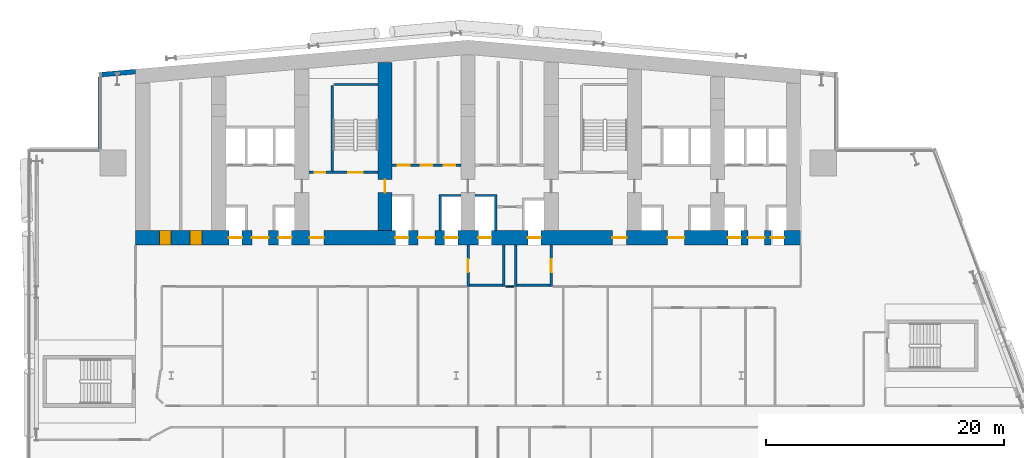
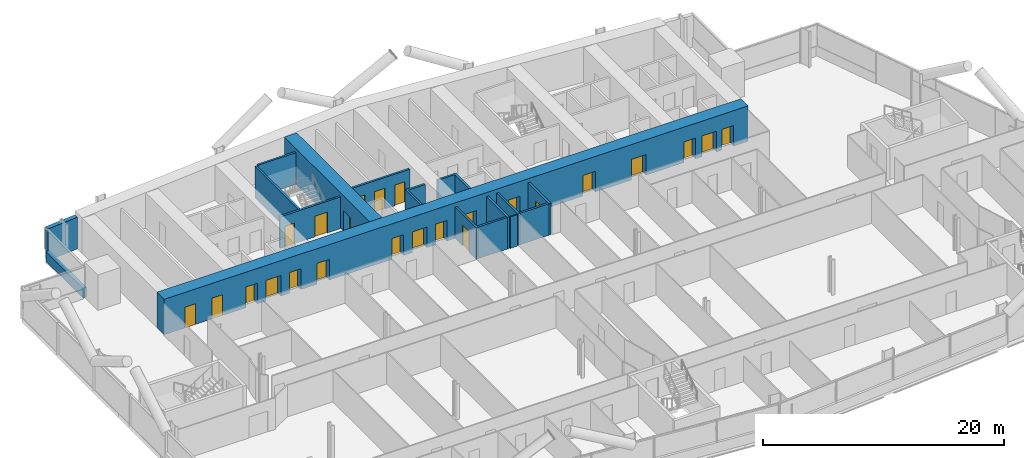
# One storey, part 17 of 28: 24 doors, 17 walls, 24 openings.
"""IFC4 building model written with IfcOpenShell, lengths in metres."""

from ifc_helpers import new_model, si_unit, direction, frame, frame_2d, origin, place, context, subcontext, project, spatial, polyline, rectangle, outline, extrude, material, layer, layer_set, type_object, element, fill, save


model = new_model("IFC4")

# Units and contexts
model_context = context("Model", 3, precision=1e-05, world=origin(), true_north=direction((0.0, 1.0)))
body_context = subcontext(model_context, "Body", "Model", "MODEL_VIEW")
ifc_project = project(units=[si_unit("LENGTHUNIT", "METRE"), si_unit("AREAUNIT", "SQUARE_METRE"), si_unit("VOLUMEUNIT", "CUBIC_METRE"), si_unit("PLANEANGLEUNIT", "RADIAN"), si_unit("MASSUNIT", "GRAM", prefix="KILO")], contexts=[model_context])

# Site, building, storey
site_placement = place(None, origin())
site = spatial("IfcSite", under=ifc_project, at=site_placement, CompositionType="ELEMENT")
building_placement = place(site_placement, origin())
building = spatial("IfcBuilding", under=site, at=building_placement, Name="Wharfspan Tower", CompositionType="ELEMENT")
storey_placement = place(building_placement, frame((0.0, 0.0, 52.300049)))
storey = spatial("IfcBuildingStorey", under=building, at=storey_placement, Name="L09", CompositionType="ELEMENT", Elevation=52.300049)

# Wall
ifc_material_1 = material(Name="Gypsum board on steel studs", Category="steel")
ifc_layer_1 = layer(ifc_material_1, 0.100098)
ifc_layer_set_1 = layer_set([ifc_layer_1], Name="Gypsum board on steel studs")
wall_type_1 = type_object("IfcWallType", Name="Compartment wall 100 EI 60", PredefinedType="PARTITIONING", material=ifc_layer_set_1)
wall_1_placement = place(storey_placement, frame((40.149902, 30.5, 0.0), z_axis=(0.0, 0.0, 1.0), x_axis=(1.0, 0.0, 0.0)))
element("IfcWall", 1, at=wall_1_placement, inside=storey, type_object=wall_type_1, Name="Partition L09.w015 (2)", PredefinedType="PARTITIONING", context=body_context, shape_type="SweptSolid", body=[
    extrude(rectangle(XDim=0.700195, YDim=0.100098, at=frame_2d((0.350098, 0.0))), origin(), (0.0, 0.0, 1.0), 3.199951),
])

# Wall, openings, doors
ifc_material_2 = material(Name="Concrete C70/85", Category="concrete")
ifc_layer_2 = layer(ifc_material_2, 1.199951)
ifc_layer_set_2 = layer_set([ifc_layer_2], Name="Concrete C70/85")
wall_type_2 = type_object("IfcWallType", Name="Core wall 1200 C70/85", PredefinedType="SHEAR", material=ifc_layer_set_2)
wall_2_placement = place(storey_placement, frame((9.0, 34.600098, 0.0), z_axis=(0.0, 0.0, 1.0), x_axis=(1.0, 0.0, 0.0)))
wall_2 = element("IfcWall", 2, at=wall_2_placement, inside=storey, type_object=wall_type_2, Name="Core front wall L09", PredefinedType="SHEAR", context=body_context, shape_type="SweptSolid", body=[
    extrude(rectangle(XDim=56.0, YDim=1.199951, at=frame_2d((28.0, 0.0))), origin(), (0.0, 0.0, 1.0), 3.599854),
])
opening_1_placement = place(wall_2_placement, frame((2.0, 0.0, 0.0)))
opening_1 = element("IfcOpeningElement", 3, at=opening_1_placement, cuts=wall_2, Name="Opening CD09.01", PredefinedType="OPENING", context=body_context, shape_type="SweptSolid", body=[
    extrude(rectangle(XDim=1.0, YDim=2.100098, at=frame_2d((0.5, 1.050049))), frame((0.0, 0.609863, 0.0), z_axis=(0.0, -1.0, 0.0), x_axis=(1.0, 0.0, 0.0)), (0.0, 0.0, 1.0), 1.219971),
])
opening_2_placement = place(wall_2_placement, frame((4.600098, 0.0, 0.0)))
opening_2 = element("IfcOpeningElement", 4, at=opening_2_placement, cuts=wall_2, Name="Opening CD09.02", PredefinedType="OPENING", context=body_context, shape_type="SweptSolid", body=[
    extrude(rectangle(XDim=1.0, YDim=2.100098, at=frame_2d((0.5, 1.050049))), frame((0.0, 0.609863, 0.0), z_axis=(0.0, -1.0, 0.0), x_axis=(1.0, 0.0, 0.0)), (0.0, 0.0, 1.0), 1.219971),
])
opening_3_placement = place(wall_2_placement, frame((7.866699, 0.0, 0.0)))
opening_3 = element("IfcOpeningElement", 5, at=opening_3_placement, cuts=wall_2, Name="Opening LD.LA1.L09", PredefinedType="OPENING", context=body_context, shape_type="SweptSolid", body=[
    extrude(rectangle(XDim=1.100098, YDim=2.100098, at=frame_2d((0.550049, 1.050049))), frame((0.0, 0.609863, 0.0), z_axis=(0.0, -1.0, 0.0), x_axis=(1.0, 0.0, 0.0)), (0.0, 0.0, 1.0), 1.219971),
])
opening_4_placement = place(wall_2_placement, frame((12.033203, 0.0, 0.0)))
opening_4 = element("IfcOpeningElement", 6, at=opening_4_placement, cuts=wall_2, Name="Opening LD.LA2.L09", PredefinedType="OPENING", context=body_context, shape_type="SweptSolid", body=[
    extrude(rectangle(XDim=1.100098, YDim=2.100098, at=frame_2d((0.550049, 1.050049))), frame((0.0, 0.609863, 0.0), z_axis=(0.0, -1.0, 0.0), x_axis=(1.0, 0.0, 0.0)), (0.0, 0.0, 1.0), 1.219971),
])
opening_5_placement = place(wall_2_placement, frame((9.800049, 0.0, 0.0)))
opening_5 = element("IfcOpeningElement", 7, at=opening_5_placement, cuts=wall_2, Name="Opening HD09.1", PredefinedType="OPENING", context=body_context, shape_type="SweptSolid", body=[
    extrude(rectangle(XDim=1.399902, YDim=2.100098, at=frame_2d((0.699951, 1.050049))), frame((0.0, 0.609863, 0.0), z_axis=(0.0, -1.0, 0.0), x_axis=(1.0, 0.0, 0.0)), (0.0, 0.0, 1.0), 1.219971),
])
opening_6_placement = place(wall_2_placement, frame((14.649902, 0.0, 0.0)))
opening_6 = element("IfcOpeningElement", 8, at=opening_6_placement, cuts=wall_2, Name="Opening SV2.L09", PredefinedType="OPENING", context=body_context, shape_type="SweptSolid", body=[
    extrude(rectangle(XDim=1.199951, YDim=2.100098, at=frame_2d((0.600098, 1.050049))), frame((0.0, 0.609863, 0.0), z_axis=(0.0, -1.0, 0.0), x_axis=(1.0, 0.0, 0.0)), (0.0, 0.0, 1.0), 1.219971),
])
opening_7_placement = place(wall_2_placement, frame((21.866699, 0.0, 0.0)))
opening_7 = element("IfcOpeningElement", 9, at=opening_7_placement, cuts=wall_2, Name="Opening LD.SL1.L09", PredefinedType="OPENING", context=body_context, shape_type="SweptSolid", body=[
    extrude(rectangle(XDim=1.100098, YDim=2.100098, at=frame_2d((0.550049, 1.050049))), frame((0.0, 0.609863, 0.0), z_axis=(0.0, -1.0, 0.0), x_axis=(1.0, 0.0, 0.0)), (0.0, 0.0, 1.0), 1.219971),
])
opening_8_placement = place(wall_2_placement, frame((26.033203, 0.0, 0.0)))
opening_8 = element("IfcOpeningElement", 10, at=opening_8_placement, cuts=wall_2, Name="Opening LD.SL2.L09", PredefinedType="OPENING", context=body_context, shape_type="SweptSolid", body=[
    extrude(rectangle(XDim=1.100098, YDim=2.100098, at=frame_2d((0.550049, 1.050049))), frame((0.0, 0.609863, 0.0), z_axis=(0.0, -1.0, 0.0), x_axis=(1.0, 0.0, 0.0)), (0.0, 0.0, 1.0), 1.219971),
])
opening_9_placement = place(wall_2_placement, frame((23.800049, 0.0, 0.0)))
opening_9 = element("IfcOpeningElement", 11, at=opening_9_placement, cuts=wall_2, Name="Opening HD09.3", PredefinedType="OPENING", context=body_context, shape_type="SweptSolid", body=[
    extrude(rectangle(XDim=1.399902, YDim=2.100098, at=frame_2d((0.699951, 1.050049))), frame((0.0, 0.609863, 0.0), z_axis=(0.0, -1.0, 0.0), x_axis=(1.0, 0.0, 0.0)), (0.0, 0.0, 1.0), 1.219971),
])
opening_10_placement = place(wall_2_placement, frame((28.866699, 0.0, 0.0)))
opening_10 = element("IfcOpeningElement", 12, at=opening_10_placement, cuts=wall_2, Name="Opening LD.FF1.L09", PredefinedType="OPENING", context=body_context, shape_type="SweptSolid", body=[
    extrude(rectangle(XDim=1.100098, YDim=2.100098, at=frame_2d((0.550049, 1.050049))), frame((0.0, 0.609863, 0.0), z_axis=(0.0, -1.0, 0.0), x_axis=(1.0, 0.0, 0.0)), (0.0, 0.0, 1.0), 1.219971),
])
opening_11_placement = place(wall_2_placement, frame((33.033203, 0.0, 0.0)))
opening_11 = element("IfcOpeningElement", 13, at=opening_11_placement, cuts=wall_2, Name="Opening LD.FF2.L09", PredefinedType="OPENING", context=body_context, shape_type="SweptSolid", body=[
    extrude(rectangle(XDim=1.100098, YDim=2.100098, at=frame_2d((0.550049, 1.050049))), frame((0.0, 0.609863, 0.0), z_axis=(0.0, -1.0, 0.0), x_axis=(1.0, 0.0, 0.0)), (0.0, 0.0, 1.0), 1.219971),
])
opening_12_placement = place(wall_2_placement, frame((40.149902, 0.0, 0.0)))
opening_12 = element("IfcOpeningElement", 14, at=opening_12_placement, cuts=wall_2, Name="Opening SV5.L09", PredefinedType="OPENING", context=body_context, shape_type="SweptSolid", body=[
    extrude(rectangle(XDim=1.199951, YDim=2.100098, at=frame_2d((0.600098, 1.050049))), frame((0.0, 0.609863, 0.0), z_axis=(0.0, -1.0, 0.0), x_axis=(1.0, 0.0, 0.0)), (0.0, 0.0, 1.0), 1.219971),
])
opening_13_placement = place(wall_2_placement, frame((44.800049, 0.0, 0.0)))
opening_13 = element("IfcOpeningElement", 15, at=opening_13_placement, cuts=wall_2, Name="Opening HD09.6", PredefinedType="OPENING", context=body_context, shape_type="SweptSolid", body=[
    extrude(rectangle(XDim=1.399902, YDim=2.100098, at=frame_2d((0.699951, 1.050049))), frame((0.0, 0.609863, 0.0), z_axis=(0.0, -1.0, 0.0), x_axis=(1.0, 0.0, 0.0)), (0.0, 0.0, 1.0), 1.219971),
])
opening_14_placement = place(wall_2_placement, frame((49.866699, 0.0, 0.0)))
opening_14 = element("IfcOpeningElement", 16, at=opening_14_placement, cuts=wall_2, Name="Opening LD.LA6.L09", PredefinedType="OPENING", context=body_context, shape_type="SweptSolid", body=[
    extrude(rectangle(XDim=1.100098, YDim=2.100098, at=frame_2d((0.550049, 1.050049))), frame((0.0, 0.609863, 0.0), z_axis=(0.0, -1.0, 0.0), x_axis=(1.0, 0.0, 0.0)), (0.0, 0.0, 1.0), 1.219971),
])
opening_15_placement = place(wall_2_placement, frame((53.5, 0.0, 0.0)))
opening_15 = element("IfcOpeningElement", 17, at=opening_15_placement, cuts=wall_2, Name="Opening LD.LA7.L09", PredefinedType="OPENING", context=body_context, shape_type="SweptSolid", body=[
    extrude(rectangle(XDim=1.100098, YDim=2.100098, at=frame_2d((0.550049, 1.050049))), frame((0.0, 0.609863, 0.0), z_axis=(0.0, -1.0, 0.0), x_axis=(1.0, 0.0, 0.0)), (0.0, 0.0, 1.0), 1.219971),
])
opening_16_placement = place(wall_2_placement, frame((51.56665, 0.0, 0.0)))
opening_16 = element("IfcOpeningElement", 18, at=opening_16_placement, cuts=wall_2, Name="Opening HD09.7", PredefinedType="OPENING", context=body_context, shape_type="SweptSolid", body=[
    extrude(rectangle(XDim=1.399902, YDim=2.100098, at=frame_2d((0.699951, 1.050049))), frame((0.0, 0.609863, 0.0), z_axis=(0.0, -1.0, 0.0), x_axis=(1.0, 0.0, 0.0)), (0.0, 0.0, 1.0), 1.219971),
])
ifc_material_3 = material(Name="Steel door leaf", Category="steel")
door_type_1 = type_object("IfcDoorType", Name="Core room door 1000x2100", OperationType="SINGLE_SWING_LEFT", PredefinedType="DOOR", material=ifc_material_3)
door_1_placement = place(opening_1_placement, origin())
door_1 = element("IfcDoor", 19, at=door_1_placement, inside=storey, type_object=door_type_1, Name="d:L09:0:rf", OperationType="SINGLE_SWING_LEFT", OverallHeight=2.100098, OverallWidth=1.0, PredefinedType="DOOR", context=body_context, shape_type="SweptSolid", body=[
    extrude(rectangle(XDim=1.0, YDim=2.100098, at=frame_2d((0.5, 1.050049))), frame((0.0, 0.599609, 0.0), z_axis=(0.0, -1.0, 0.0), x_axis=(1.0, 0.0, 0.0)), (0.0, 0.0, 1.0), 1.199463),
])
fill(opening_1, door_1)
door_2_placement = place(opening_2_placement, origin())
door_2 = element("IfcDoor", 20, at=door_2_placement, inside=storey, type_object=door_type_1, Name="d:L09:0:rr", OperationType="SINGLE_SWING_RIGHT", OverallHeight=2.100098, OverallWidth=1.0, PredefinedType="DOOR", context=body_context, shape_type="SweptSolid", body=[
    extrude(rectangle(XDim=1.0, YDim=2.100098, at=frame_2d((0.5, 1.050049))), frame((0.0, 0.599609, 0.0), z_axis=(0.0, -1.0, 0.0), x_axis=(1.0, 0.0, 0.0)), (0.0, 0.0, 1.0), 1.199463),
])
fill(opening_2, door_2)
door_type_2 = type_object("IfcDoorType", Name="Hall entry door 1400x2100", OperationType="DOUBLE_DOOR_SINGLE_SWING", PredefinedType="DOOR", material=ifc_material_3)
door_3_placement = place(opening_5_placement, origin())
door_3 = element("IfcDoor", 21, at=door_3_placement, inside=storey, type_object=door_type_2, Name="d:L09:1:hd1", OperationType="DOUBLE_DOOR_SINGLE_SWING", OverallHeight=2.100098, OverallWidth=1.399902, PredefinedType="DOOR", context=body_context, shape_type="SweptSolid", body=[
    extrude(rectangle(XDim=1.399902, YDim=2.100098, at=frame_2d((0.699951, 1.050049))), frame((0.0, 0.024902, 0.0), z_axis=(0.0, -1.0, 0.0), x_axis=(1.0, 0.0, 0.0)), (0.0, 0.0, 1.0), 0.050049),
])
fill(opening_5, door_3)
door_4_placement = place(opening_9_placement, origin())
door_4 = element("IfcDoor", 22, at=door_4_placement, inside=storey, type_object=door_type_2, Name="d:L09:3:hd3", OperationType="DOUBLE_DOOR_SINGLE_SWING", OverallHeight=2.100098, OverallWidth=1.399902, PredefinedType="DOOR", context=body_context, shape_type="SweptSolid", body=[
    extrude(rectangle(XDim=1.399902, YDim=2.100098, at=frame_2d((0.699951, 1.050049))), frame((0.0, 0.024902, 0.0), z_axis=(0.0, -1.0, 0.0), x_axis=(1.0, 0.0, 0.0)), (0.0, 0.0, 1.0), 0.050049),
])
fill(opening_9, door_4)
door_5_placement = place(opening_13_placement, origin())
door_5 = element("IfcDoor", 23, at=door_5_placement, inside=storey, type_object=door_type_2, Name="d:L09:6:hd6", OperationType="DOUBLE_DOOR_SINGLE_SWING", OverallHeight=2.100098, OverallWidth=1.399902, PredefinedType="DOOR", context=body_context, shape_type="SweptSolid", body=[
    extrude(rectangle(XDim=1.399902, YDim=2.100098, at=frame_2d((0.699951, 1.050049))), frame((0.0, 0.024902, 0.0), z_axis=(0.0, -1.0, 0.0), x_axis=(1.0, 0.0, 0.0)), (0.0, 0.0, 1.0), 0.050049),
])
fill(opening_13, door_5)
door_6_placement = place(opening_16_placement, origin())
door_6 = element("IfcDoor", 24, at=door_6_placement, inside=storey, type_object=door_type_2, Name="d:L09:7:hd7", OperationType="DOUBLE_DOOR_SINGLE_SWING", OverallHeight=2.100098, OverallWidth=1.399902, PredefinedType="DOOR", context=body_context, shape_type="SweptSolid", body=[
    extrude(rectangle(XDim=1.399902, YDim=2.100098, at=frame_2d((0.699951, 1.050049))), frame((0.0, 0.024902, 0.0), z_axis=(0.0, -1.0, 0.0), x_axis=(1.0, 0.0, 0.0)), (0.0, 0.0, 1.0), 0.050049),
])
fill(opening_16, door_6)
ifc_material_4 = material(Name="Stainless steel", Category="steel")
door_type_3 = type_object("IfcDoorType", Name="Lift landing door 1100x2100", OperationType="DOUBLE_DOOR_SLIDING", PredefinedType="DOOR", material=ifc_material_4)
door_7_placement = place(opening_3_placement, origin())
door_7 = element("IfcDoor", 25, at=door_7_placement, inside=storey, type_object=door_type_3, Name="Landing door LA1 L09", OperationType="DOUBLE_DOOR_SLIDING", OverallHeight=2.100098, OverallWidth=1.100098, PredefinedType="DOOR", context=body_context, shape_type="SweptSolid", body=[
    extrude(rectangle(XDim=1.100098, YDim=2.100098, at=frame_2d((0.550049, 1.050049))), frame((0.0, 0.024902, 0.0), z_axis=(0.0, -1.0, 0.0), x_axis=(1.0, 0.0, 0.0)), (0.0, 0.0, 1.0), 0.050049),
])
fill(opening_3, door_7)
door_8_placement = place(opening_4_placement, origin())
door_8 = element("IfcDoor", 26, at=door_8_placement, inside=storey, type_object=door_type_3, Name="Landing door LA2 L09", OperationType="DOUBLE_DOOR_SLIDING", OverallHeight=2.100098, OverallWidth=1.100098, PredefinedType="DOOR", context=body_context, shape_type="SweptSolid", body=[
    extrude(rectangle(XDim=1.100098, YDim=2.100098, at=frame_2d((0.550049, 1.050049))), frame((0.0, 0.024902, 0.0), z_axis=(0.0, -1.0, 0.0), x_axis=(1.0, 0.0, 0.0)), (0.0, 0.0, 1.0), 0.050049),
])
fill(opening_4, door_8)
door_9_placement = place(opening_7_placement, origin())
door_9 = element("IfcDoor", 27, at=door_9_placement, inside=storey, type_object=door_type_3, Name="Landing door SL1 L09", OperationType="DOUBLE_DOOR_SLIDING", OverallHeight=2.100098, OverallWidth=1.100098, PredefinedType="DOOR", context=body_context, shape_type="SweptSolid", body=[
    extrude(rectangle(XDim=1.100098, YDim=2.100098, at=frame_2d((0.550049, 1.050049))), frame((0.0, 0.024902, 0.0), z_axis=(0.0, -1.0, 0.0), x_axis=(1.0, 0.0, 0.0)), (0.0, 0.0, 1.0), 0.050049),
])
fill(opening_7, door_9)
door_10_placement = place(opening_8_placement, origin())
door_10 = element("IfcDoor", 28, at=door_10_placement, inside=storey, type_object=door_type_3, Name="Landing door SL2 L09", OperationType="DOUBLE_DOOR_SLIDING", OverallHeight=2.100098, OverallWidth=1.100098, PredefinedType="DOOR", context=body_context, shape_type="SweptSolid", body=[
    extrude(rectangle(XDim=1.100098, YDim=2.100098, at=frame_2d((0.550049, 1.050049))), frame((0.0, 0.024902, 0.0), z_axis=(0.0, -1.0, 0.0), x_axis=(1.0, 0.0, 0.0)), (0.0, 0.0, 1.0), 0.050049),
])
fill(opening_8, door_10)
door_11_placement = place(opening_10_placement, origin())
door_11 = element("IfcDoor", 29, at=door_11_placement, inside=storey, type_object=door_type_3, Name="Landing door FF1 L09", OperationType="DOUBLE_DOOR_SLIDING", OverallHeight=2.100098, OverallWidth=1.100098, PredefinedType="DOOR", context=body_context, shape_type="SweptSolid", body=[
    extrude(rectangle(XDim=1.100098, YDim=2.100098, at=frame_2d((0.550049, 1.050049))), frame((0.0, 0.024902, 0.0), z_axis=(0.0, -1.0, 0.0), x_axis=(1.0, 0.0, 0.0)), (0.0, 0.0, 1.0), 0.050049),
])
fill(opening_10, door_11)
door_12_placement = place(opening_11_placement, origin())
door_12 = element("IfcDoor", 30, at=door_12_placement, inside=storey, type_object=door_type_3, Name="Landing door FF2 L09", OperationType="DOUBLE_DOOR_SLIDING", OverallHeight=2.100098, OverallWidth=1.100098, PredefinedType="DOOR", context=body_context, shape_type="SweptSolid", body=[
    extrude(rectangle(XDim=1.100098, YDim=2.100098, at=frame_2d((0.550049, 1.050049))), frame((0.0, 0.024902, 0.0), z_axis=(0.0, -1.0, 0.0), x_axis=(1.0, 0.0, 0.0)), (0.0, 0.0, 1.0), 0.050049),
])
fill(opening_11, door_12)
door_13_placement = place(opening_14_placement, origin())
door_13 = element("IfcDoor", 31, at=door_13_placement, inside=storey, type_object=door_type_3, Name="Landing door LA6 L09", OperationType="DOUBLE_DOOR_SLIDING", OverallHeight=2.100098, OverallWidth=1.100098, PredefinedType="DOOR", context=body_context, shape_type="SweptSolid", body=[
    extrude(rectangle(XDim=1.100098, YDim=2.100098, at=frame_2d((0.550049, 1.050049))), frame((0.0, 0.024902, 0.0), z_axis=(0.0, -1.0, 0.0), x_axis=(1.0, 0.0, 0.0)), (0.0, 0.0, 1.0), 0.050049),
])
fill(opening_14, door_13)
door_14_placement = place(opening_15_placement, origin())
door_14 = element("IfcDoor", 32, at=door_14_placement, inside=storey, type_object=door_type_3, Name="Landing door LA7 L09", OperationType="DOUBLE_DOOR_SLIDING", OverallHeight=2.100098, OverallWidth=1.100098, PredefinedType="DOOR", context=body_context, shape_type="SweptSolid", body=[
    extrude(rectangle(XDim=1.100098, YDim=2.100098, at=frame_2d((0.550049, 1.050049))), frame((0.0, 0.024902, 0.0), z_axis=(0.0, -1.0, 0.0), x_axis=(1.0, 0.0, 0.0)), (0.0, 0.0, 1.0), 0.050049),
])
fill(opening_15, door_14)
door_type_4 = type_object("IfcDoorType", Name="Stair door 1200x2100", OperationType="SINGLE_SWING_LEFT", PredefinedType="DOOR", material=ifc_material_3)
door_15_placement = place(opening_6_placement, origin())
door_15 = element("IfcDoor", 33, at=door_15_placement, inside=storey, type_object=door_type_4, Name="vd:L09:2", OperationType="SINGLE_SWING_LEFT", OverallHeight=2.100098, OverallWidth=1.199951, PredefinedType="DOOR", context=body_context, shape_type="SweptSolid", body=[
    extrude(rectangle(XDim=1.199951, YDim=2.100098, at=frame_2d((0.600098, 1.050049))), frame((0.0, 0.024902, 0.0), z_axis=(0.0, -1.0, 0.0), x_axis=(1.0, 0.0, 0.0)), (0.0, 0.0, 1.0), 0.050049),
])
fill(opening_6, door_15)
door_16_placement = place(opening_12_placement, origin())
door_16 = element("IfcDoor", 34, at=door_16_placement, inside=storey, type_object=door_type_4, Name="vd:L09:5", OperationType="SINGLE_SWING_LEFT", OverallHeight=2.100098, OverallWidth=1.199951, PredefinedType="DOOR", context=body_context, shape_type="SweptSolid", body=[
    extrude(rectangle(XDim=1.199951, YDim=2.100098, at=frame_2d((0.600098, 1.050049))), frame((0.0, 0.024902, 0.0), z_axis=(0.0, -1.0, 0.0), x_axis=(1.0, 0.0, 0.0)), (0.0, 0.0, 1.0), 0.050049),
])
fill(opening_12, door_16)

# Wall, opening, door
wall_3_placement = place(storey_placement, frame((30.0, 35.199951, 0.0), z_axis=(0.0, 0.0, 1.0), x_axis=(0.0, 1.0, 0.0)))
wall_3 = element("IfcWall", 35, at=wall_3_placement, inside=storey, type_object=wall_type_2, Name="Core cross wall X3 L09", PredefinedType="SHEAR", context=body_context, shape_type="SweptSolid", body=[
    extrude(rectangle(XDim=14.167725, YDim=1.199951, at=frame_2d((7.083984, 0.0))), origin(), (0.0, 0.0, 1.0), 3.599854),
])
opening_17_placement = place(wall_3_placement, frame((3.199951, 0.0, 0.0)))
opening_17 = element("IfcOpeningElement", 36, at=opening_17_placement, cuts=wall_3, Name="Opening CC09.3", PredefinedType="OPENING", context=body_context, shape_type="SweptSolid", body=[
    extrude(rectangle(XDim=1.100098, YDim=2.100098, at=frame_2d((0.550049, 1.050049))), frame((0.0, 0.609863, 0.0), z_axis=(0.0, -1.0, 0.0), x_axis=(1.0, 0.0, 0.0)), (0.0, 0.0, 1.0), 1.219971),
])
door_type_5 = type_object("IfcDoorType", Name="Core corridor door 1100x2100", OperationType="SINGLE_SWING_LEFT", PredefinedType="DOOR", material=ifc_material_3)
door_17_placement = place(opening_17_placement, origin())
door_17 = element("IfcDoor", 37, at=door_17_placement, inside=storey, type_object=door_type_5, Name="xd:L09:3", OperationType="SINGLE_SWING_LEFT", OverallHeight=2.100098, OverallWidth=1.100098, PredefinedType="DOOR", context=body_context, shape_type="SweptSolid", body=[
    extrude(rectangle(XDim=1.100098, YDim=2.100098, at=frame_2d((0.550049, 1.050049))), frame((0.0, 0.024902, 0.0), z_axis=(0.0, -1.0, 0.0), x_axis=(1.0, 0.0, 0.0)), (0.0, 0.0, 1.0), 0.050049),
])
fill(opening_17, door_17)

# Wall, openings, doors
ifc_material_5 = material(Name="Concrete C30/37", Category="concrete")
ifc_layer_3 = layer(ifc_material_5, 0.199951)
ifc_layer_set_3 = layer_set([ifc_layer_3], Name="Concrete C30/37")
wall_type_3 = type_object("IfcWallType", Name="Lift shaft wall 200", PredefinedType="PARTITIONING", material=ifc_layer_set_3)
wall_4_placement = place(storey_placement, frame((30.600098, 40.699951, 0.0), z_axis=(0.0, 0.0, 1.0), x_axis=(1.0, 0.0, 0.0)))
wall_4 = element("IfcWall", 38, at=wall_4_placement, inside=storey, type_object=wall_type_3, Name="sw:L09:RF3", PredefinedType="PARTITIONING", context=body_context, shape_type="SweptSolid", body=[
    extrude(rectangle(XDim=5.799805, YDim=0.199951, at=frame_2d((2.899902, 0.0))), origin(), (0.0, 0.0, 1.0), 3.199951),
])
opening_18_placement = place(wall_4_placement, frame((0.466797, 0.0, 0.0)))
opening_18 = element("IfcOpeningElement", 39, at=opening_18_placement, cuts=wall_4, Name="Opening CD09.3S", PredefinedType="OPENING", context=body_context, shape_type="SweptSolid", body=[
    extrude(rectangle(XDim=1.0, YDim=2.100098, at=frame_2d((0.5, 1.050049))), frame((0.0, 0.109863, 0.0), z_axis=(0.0, -1.0, 0.0), x_axis=(1.0, 0.0, 0.0)), (0.0, 0.0, 1.0), 0.219971),
])
opening_19_placement = place(wall_4_placement, frame((2.399902, 0.0, 0.0)))
opening_19 = element("IfcOpeningElement", 40, at=opening_19_placement, cuts=wall_4, Name="Opening CD09.3Sa", PredefinedType="OPENING", context=body_context, shape_type="SweptSolid", body=[
    extrude(rectangle(XDim=1.0, YDim=2.100098, at=frame_2d((0.5, 1.050049))), frame((0.0, 0.109863, 0.0), z_axis=(0.0, -1.0, 0.0), x_axis=(1.0, 0.0, 0.0)), (0.0, 0.0, 1.0), 0.219971),
])
opening_20_placement = place(wall_4_placement, frame((4.333252, 0.0, 0.0)))
opening_20 = element("IfcOpeningElement", 41, at=opening_20_placement, cuts=wall_4, Name="Opening CD09.3Sb", PredefinedType="OPENING", context=body_context, shape_type="SweptSolid", body=[
    extrude(rectangle(XDim=1.0, YDim=2.100098, at=frame_2d((0.5, 1.050049))), frame((0.0, 0.109863, 0.0), z_axis=(0.0, -1.0, 0.0), x_axis=(1.0, 0.0, 0.0)), (0.0, 0.0, 1.0), 0.219971),
])
door_18_placement = place(opening_18_placement, origin())
door_18 = element("IfcDoor", 42, at=door_18_placement, inside=storey, type_object=door_type_1, Name="d:L09:3:sf", OperationType="SINGLE_SWING_LEFT", OverallHeight=2.100098, OverallWidth=1.0, PredefinedType="DOOR", context=body_context, shape_type="SweptSolid", body=[
    extrude(rectangle(XDim=1.0, YDim=2.100098, at=frame_2d((0.5, 1.050049))), frame((0.0, 0.024902, 0.0), z_axis=(0.0, -1.0, 0.0), x_axis=(1.0, 0.0, 0.0)), (0.0, 0.0, 1.0), 0.050049),
])
fill(opening_18, door_18)
door_19_placement = place(opening_19_placement, origin())
door_19 = element("IfcDoor", 43, at=door_19_placement, inside=storey, type_object=door_type_1, Name="d:L09:3:sf1", OperationType="SINGLE_SWING_LEFT", OverallHeight=2.100098, OverallWidth=1.0, PredefinedType="DOOR", context=body_context, shape_type="SweptSolid", body=[
    extrude(rectangle(XDim=1.0, YDim=2.100098, at=frame_2d((0.5, 1.050049))), frame((0.0, 0.024902, 0.0), z_axis=(0.0, -1.0, 0.0), x_axis=(1.0, 0.0, 0.0)), (0.0, 0.0, 1.0), 0.050049),
])
fill(opening_19, door_19)
door_20_placement = place(opening_20_placement, origin())
door_20 = element("IfcDoor", 44, at=door_20_placement, inside=storey, type_object=door_type_1, Name="d:L09:3:sf2", OperationType="SINGLE_SWING_LEFT", OverallHeight=2.100098, OverallWidth=1.0, PredefinedType="DOOR", context=body_context, shape_type="SweptSolid", body=[
    extrude(rectangle(XDim=1.0, YDim=2.100098, at=frame_2d((0.5, 1.050049))), frame((0.0, 0.024902, 0.0), z_axis=(0.0, -1.0, 0.0), x_axis=(1.0, 0.0, 0.0)), (0.0, 0.0, 1.0), 0.050049),
])
fill(opening_20, door_20)

# Walls
wall_5_placement = place(storey_placement, frame((0.0, 0.0, -0.000244)))
element("IfcWall", 45, at=wall_5_placement, inside=storey, type_object=wall_type_3, Name="sw:L09:FM3.1", PredefinedType="PARTITIONING", context=body_context, shape_type="SweptSolid", body=[
    extrude(outline(polyline([(34.56665, 38.25), (34.766602, 38.25), (36.399902, 38.25), (36.399902, 38.050049), (34.766602, 38.050049), (34.766602, 35.199951), (34.56665, 35.199951), (34.56665, 38.25)])), origin(), (0.0, 0.0, 1.0), 3.200195),
])
wall_6_placement = place(storey_placement, frame((0.0, 0.0, -0.000244)))
element("IfcWall", 46, at=wall_6_placement, inside=storey, type_object=wall_type_3, Name="sw:L09:FM4.1", PredefinedType="PARTITIONING", context=body_context, shape_type="SweptSolid", body=[
    extrude(outline(polyline([(39.233398, 38.050049), (37.600098, 38.050049), (37.600098, 38.25), (39.233398, 38.25), (39.43335, 38.25), (39.43335, 35.199951), (39.233398, 35.199951), (39.233398, 38.050049)])), origin(), (0.0, 0.0, 1.0), 3.200195),
])

# Wall, opening, door
ifc_layer_4 = layer(ifc_material_5, 0.199951)
ifc_layer_set_4 = layer_set([ifc_layer_4], Name="Concrete C30/37")
wall_type_4 = type_object("IfcWallType", Name="Lobby wall 200", PredefinedType="PARTITIONING", material=ifc_layer_set_4)
wall_7_placement = place(storey_placement, frame((37.0, 30.5, 0.0), z_axis=(0.0, 0.0, 1.0), x_axis=(0.0, 1.0, 0.0)))
wall_7 = element("IfcWall", 47, at=wall_7_placement, inside=storey, type_object=wall_type_4, Name="sw:L09:FLFF1W", PredefinedType="PARTITIONING", context=body_context, shape_type="SweptSolid", body=[
    extrude(rectangle(XDim=3.5, YDim=0.199951, at=frame_2d((1.75, 0.0))), origin(), (0.0, 0.0, 1.0), 3.199951),
])
opening_21_placement = place(wall_7_placement, frame((1.199951, 0.0, 0.0)))
opening_21 = element("IfcOpeningElement", 48, at=opening_21_placement, cuts=wall_7, Name="Opening FL.FF1.L09", PredefinedType="OPENING", context=body_context, shape_type="SweptSolid", body=[
    extrude(rectangle(XDim=1.100098, YDim=2.100098, at=frame_2d((0.550049, 1.050049))), frame((0.0, 0.109863, 0.0), z_axis=(0.0, -1.0, 0.0), x_axis=(1.0, 0.0, 0.0)), (0.0, 0.0, 1.0), 0.219971),
])
door_type_6 = type_object("IfcDoorType", Name="Firefighting lobby door 1100x2100", OperationType="SINGLE_SWING_LEFT", PredefinedType="DOOR", material=ifc_material_3)
door_21_placement = place(opening_21_placement, origin())
door_21 = element("IfcDoor", 49, at=door_21_placement, inside=storey, type_object=door_type_6, Name="fd:L09:FF1", OperationType="SINGLE_SWING_LEFT", OverallHeight=2.100098, OverallWidth=1.100098, PredefinedType="DOOR", context=body_context, shape_type="SweptSolid", body=[
    extrude(rectangle(XDim=1.100098, YDim=2.100098, at=frame_2d((0.550049, 1.050049))), frame((0.0, 0.024902, 0.0), z_axis=(0.0, -1.0, 0.0), x_axis=(1.0, 0.0, 0.0)), (0.0, 0.0, 1.0), 0.050049),
])
fill(opening_21, door_21)

# Walls
wall_8_placement = place(storey_placement, frame((40.0, 30.5, 0.0), z_axis=(0.0, 0.0, 1.0), x_axis=(0.0, 1.0, 0.0)))
element("IfcWall", 50, at=wall_8_placement, inside=storey, type_object=wall_type_4, Name="sw:L09:FLFF1E", PredefinedType="PARTITIONING", context=body_context, shape_type="SweptSolid", body=[
    extrude(rectangle(XDim=3.5, YDim=0.199951, at=frame_2d((1.75, 0.0))), origin(), (0.0, 0.0, 1.0), 3.199951),
])
wall_9_placement = place(storey_placement, frame((37.100098, 30.600098, 0.0), z_axis=(0.0, 0.0, 1.0), x_axis=(1.0, 0.0, 0.0)))
element("IfcWall", 51, at=wall_9_placement, inside=storey, type_object=wall_type_4, Name="sw:L09:FLFF1F", PredefinedType="PARTITIONING", context=body_context, shape_type="SweptSolid", body=[
    extrude(rectangle(XDim=2.799805, YDim=0.199951, at=frame_2d((1.399902, 0.0))), origin(), (0.0, 0.0, 1.0), 3.199951),
])
wall_10_placement = place(storey_placement, frame((41.0, 30.5, 0.0), z_axis=(0.0, 0.0, 1.0), x_axis=(0.0, 1.0, 0.0)))
element("IfcWall", 52, at=wall_10_placement, inside=storey, type_object=wall_type_4, Name="sw:L09:FLFF2W", PredefinedType="PARTITIONING", context=body_context, shape_type="SweptSolid", body=[
    extrude(rectangle(XDim=3.5, YDim=0.199951, at=frame_2d((1.75, 0.0))), origin(), (0.0, 0.0, 1.0), 3.199951),
])

# Wall, opening, door
wall_11_placement = place(storey_placement, frame((44.0, 30.5, 0.0), z_axis=(0.0, 0.0, 1.0), x_axis=(0.0, 1.0, 0.0)))
wall_11 = element("IfcWall", 53, at=wall_11_placement, inside=storey, type_object=wall_type_4, Name="sw:L09:FLFF2E", PredefinedType="PARTITIONING", context=body_context, shape_type="SweptSolid", body=[
    extrude(rectangle(XDim=3.5, YDim=0.199951, at=frame_2d((1.75, 0.0))), origin(), (0.0, 0.0, 1.0), 3.199951),
])
opening_22_placement = place(wall_11_placement, frame((1.199951, 0.0, 0.0)))
opening_22 = element("IfcOpeningElement", 54, at=opening_22_placement, cuts=wall_11, Name="Opening FL.FF2.L09", PredefinedType="OPENING", context=body_context, shape_type="SweptSolid", body=[
    extrude(rectangle(XDim=1.100098, YDim=2.100098, at=frame_2d((0.550049, 1.050049))), frame((0.0, 0.109863, 0.0), z_axis=(0.0, -1.0, 0.0), x_axis=(1.0, 0.0, 0.0)), (0.0, 0.0, 1.0), 0.219971),
])
door_22_placement = place(opening_22_placement, origin())
door_22 = element("IfcDoor", 55, at=door_22_placement, inside=storey, type_object=door_type_6, Name="fd:L09:FF2", OperationType="SINGLE_SWING_LEFT", OverallHeight=2.100098, OverallWidth=1.100098, PredefinedType="DOOR", context=body_context, shape_type="SweptSolid", body=[
    extrude(rectangle(XDim=1.100098, YDim=2.100098, at=frame_2d((0.550049, 1.050049))), frame((0.0, 0.024902, 0.0), z_axis=(0.0, -1.0, 0.0), x_axis=(1.0, 0.0, 0.0)), (0.0, 0.0, 1.0), 0.050049),
])
fill(opening_22, door_22)

# Walls
wall_12_placement = place(storey_placement, frame((41.100098, 30.600098, 0.0), z_axis=(0.0, 0.0, 1.0), x_axis=(1.0, 0.0, 0.0)))
element("IfcWall", 56, at=wall_12_placement, inside=storey, type_object=wall_type_4, Name="sw:L09:FLFF2F", PredefinedType="PARTITIONING", context=body_context, shape_type="SweptSolid", body=[
    extrude(rectangle(XDim=2.799805, YDim=0.199951, at=frame_2d((1.399902, 0.0))), origin(), (0.0, 0.0, 1.0), 3.199951),
])
ifc_material_6 = material(Name="Concrete C40/50", Category="concrete")
ifc_layer_5 = layer(ifc_material_6, 0.350098)
ifc_layer_set_5 = layer_set([ifc_layer_5], Name="Concrete C40/50")
wall_type_5 = type_object("IfcWallType", Name="SPANDREL EXPOSED CONCRETE 350", PredefinedType="SOLIDWALL", material=ifc_layer_set_5)
wall_13_placement = place(storey_placement, frame((5.995117, 48.126465, 0.0), z_axis=(0.0, 0.0, 1.0), x_axis=(0.0, -1.0, 0.0)))
element("IfcWall", 57, at=wall_13_placement, inside=storey, type_object=wall_type_5, Name="Spandrel upstand L09 NRW-V", PredefinedType="SOLIDWALL", context=body_context, shape_type="SweptSolid", body=[
    extrude(rectangle(XDim=6.126465, YDim=0.350098, at=frame_2d((3.063232, 0.0))), origin(), (0.0, 0.0, 1.0), 1.0),
])

# Wall, openings, doors
ifc_layer_6 = layer(ifc_material_6, 0.199951)
ifc_layer_set_6 = layer_set([ifc_layer_6], Name="Concrete C40/50")
wall_type_6 = type_object("IfcWallType", Name="Stair shaft wall 200", PredefinedType="SHEAR", material=ifc_layer_set_6)
wall_14_placement = place(storey_placement, frame((23.600098, 40.100098, 0.0), z_axis=(0.0, 0.0, 1.0), x_axis=(1.0, 0.0, 0.0)))
wall_14 = element("IfcWall", 58, at=wall_14_placement, inside=storey, type_object=wall_type_6, Name="ST1 stair enclosure wall L09", PredefinedType="SHEAR", context=body_context, shape_type="SweptSolid", body=[
    extrude(rectangle(XDim=5.799805, YDim=0.199951, at=frame_2d((2.899902, 0.0))), origin(), (0.0, 0.0, 1.0), 3.199951),
])
opening_23_placement = place(wall_14_placement, frame((3.324951, 0.0, 0.0)))
opening_23 = element("IfcOpeningElement", 59, at=opening_23_placement, cuts=wall_14, Name="Opening SD2.L09", PredefinedType="OPENING", context=body_context, shape_type="SweptSolid", body=[
    extrude(rectangle(XDim=1.199951, YDim=2.100098, at=frame_2d((0.600098, 1.050049))), frame((0.0, 0.109863, 0.0), z_axis=(0.0, -1.0, 0.0), x_axis=(1.0, 0.0, 0.0)), (0.0, 0.0, 1.0), 0.219971),
])
opening_24_placement = place(wall_14_placement, frame((0.475098, 0.0, 0.0)))
opening_24 = element("IfcOpeningElement", 60, at=opening_24_placement, cuts=wall_14, Name="Opening CD09.2R", PredefinedType="OPENING", context=body_context, shape_type="SweptSolid", body=[
    extrude(rectangle(XDim=0.899902, YDim=2.100098, at=frame_2d((0.449951, 1.050049))), frame((0.0, 0.109863, 0.0), z_axis=(0.0, -1.0, 0.0), x_axis=(1.0, 0.0, 0.0)), (0.0, 0.0, 1.0), 0.219971),
])
door_23_placement = place(opening_24_placement, origin())
door_23 = element("IfcDoor", 61, at=door_23_placement, inside=storey, type_object=door_type_1, Name="rk:L09:2", OperationType="SINGLE_SWING_LEFT", OverallHeight=2.100098, OverallWidth=0.899902, PredefinedType="DOOR", context=body_context, shape_type="SweptSolid", body=[
    extrude(rectangle(XDim=0.899902, YDim=2.100098, at=frame_2d((0.449951, 1.050049))), frame((0.0, 0.024902, 0.0), z_axis=(0.0, -1.0, 0.0), x_axis=(1.0, 0.0, 0.0)), (0.0, 0.0, 1.0), 0.050049),
])
fill(opening_24, door_23)
door_24_placement = place(opening_23_placement, origin())
door_24 = element("IfcDoor", 62, at=door_24_placement, inside=storey, type_object=door_type_4, Name="sd:L09:2", OperationType="SINGLE_SWING_RIGHT", OverallHeight=2.100098, OverallWidth=1.199951, PredefinedType="DOOR", context=body_context, shape_type="SweptSolid", body=[
    extrude(rectangle(XDim=1.199951, YDim=2.100098, at=frame_2d((0.600098, 1.050049))), frame((0.0, 0.024902, 0.0), z_axis=(0.0, -1.0, 0.0), x_axis=(1.0, 0.0, 0.0)), (0.0, 0.0, 1.0), 0.050049),
])
fill(opening_23, door_24)

# Walls
wall_15_placement = place(storey_placement, frame((25.550049, 40.199951, 0.0), z_axis=(0.0, 0.0, 1.0), x_axis=(0.0, 1.0, 0.0)))
element("IfcWall", 63, at=wall_15_placement, inside=storey, type_object=wall_type_6, Name="ST1 stair enclosure wall L09", PredefinedType="SHEAR", context=body_context, shape_type="SweptSolid", body=[
    extrude(rectangle(XDim=7.199951, YDim=0.199951, at=frame_2d((3.600098, 0.0))), origin(), (0.0, 0.0, 1.0), 3.199951),
])
wall_16_placement = place(storey_placement, frame((25.75, 47.5, 0.0), z_axis=(0.0, 0.0, 1.0), x_axis=(1.0, 0.0, 0.0)))
element("IfcWall", 64, at=wall_16_placement, inside=storey, type_object=wall_type_6, Name="ST1 stair enclosure wall L09", PredefinedType="SHEAR", context=body_context, shape_type="SweptSolid", body=[
    extrude(rectangle(XDim=3.649902, YDim=0.199951, at=frame_2d((1.824951, 0.0))), origin(), (0.0, 0.0, 1.0), 3.199951),
])
ifc_layer_7 = layer(ifc_material_6, 0.399902)
ifc_layer_set_7 = layer_set([ifc_layer_7], Name="Concrete C40/50")
wall_type_7 = type_object("IfcWallType", Name="WALL EXPOSED CONCRETE 400", PredefinedType="SOLIDWALL", material=ifc_layer_set_7)
wall_17_placement = place(storey_placement, frame((9.0, 48.58667, 0.0), z_axis=(0.0, 0.0, 1.0), x_axis=(-0.996194, -0.087168, 0.0)))
element("IfcWall", 65, at=wall_17_placement, inside=storey, type_object=wall_type_7, Name="Rear wall N1", PredefinedType="SOLIDWALL", context=body_context, shape_type="SweptSolid", body=[
    extrude(rectangle(XDim=2.994141, YDim=0.399902, at=frame_2d((1.49707, 0.0))), origin(), (0.0, 0.0, 1.0), 3.199951),
])

save(model, "model.ifc")
